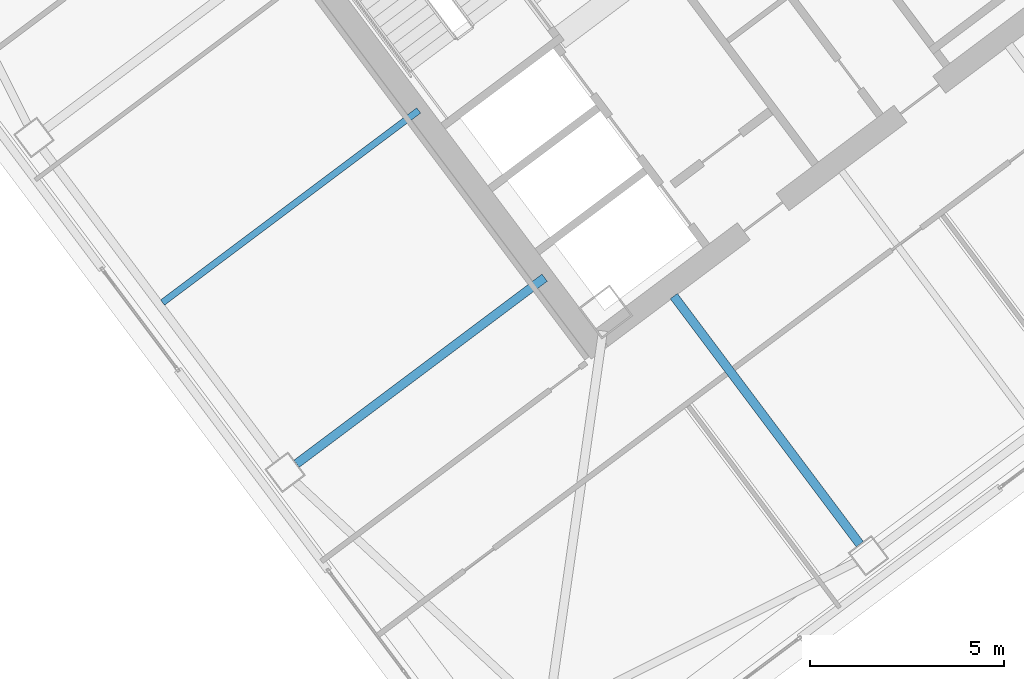
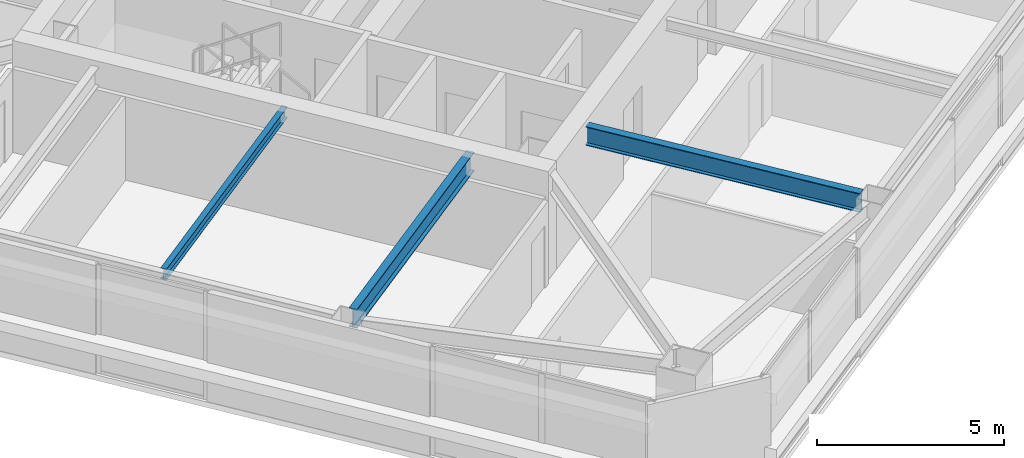
# One storey, part 20 of 43: 3 beams.
"""IFC4 building model written with IfcOpenShell, lengths in metres."""

from ifc_helpers import new_model, si_unit, direction, frame, origin, origin_2d, place, context, subcontext, project, spatial, i_section, extrude, material, material_profile, profile_set, type_object, element, save


model = new_model("IFC4")

# Units and contexts
model_context = context("Model", 3, precision=1e-05, world=origin(), true_north=direction((0.0, 1.0)))
body_context = subcontext(model_context, "Body", "Model", "MODEL_VIEW")
ifc_project = project(units=[si_unit("LENGTHUNIT", "METRE"), si_unit("AREAUNIT", "SQUARE_METRE"), si_unit("VOLUMEUNIT", "CUBIC_METRE"), si_unit("PLANEANGLEUNIT", "RADIAN"), si_unit("MASSUNIT", "GRAM", prefix="KILO")], contexts=[model_context])

# Site, building, storey
site_placement = place(None, origin())
site = spatial("IfcSite", under=ifc_project, at=site_placement, CompositionType="ELEMENT")
building_placement = place(site_placement, origin())
building = spatial("IfcBuilding", under=site, at=building_placement, Name="Tashvorn Skyway Center", CompositionType="ELEMENT")
storey_placement = place(building_placement, frame((0.0, 0.0, 185.39990234375)))
storey = spatial("IfcBuildingStorey", under=building, at=storey_placement, Name="L50", CompositionType="ELEMENT", Elevation=185.39990234375)

# Beams
ifc_material = material(Name="Steel ASTM A992 Grade 50", Category="steel")
ifc_material_profile_1 = material_profile(ifc_material, i_section(OverallWidth=0.22998046875, OverallDepth=0.616943359375, WebThickness=0.01318359375, FlangeThickness=0.022216796875, at=origin_2d()), Name="W24X94")
ifc_profile_set_1 = profile_set([ifc_material_profile_1], Name="Steel ASTM A992 Grade 50")
beam_type_1 = type_object("IfcBeamType", Name="BM-BEAM-W24X94", PredefinedType="BEAM", material=ifc_profile_set_1)
beam_1_placement = place(storey_placement, frame((119.14794921875, 16.135986328125, 3.0615234375), z_axis=(-0.60000976564, 0.799992675677, 0.0), x_axis=(-0.799992675677, -0.60000976564, 0.0)))
element("IfcBeam", 1, at=beam_1_placement, inside=storey, type_object=beam_type_1, Name="Tower 2 L50 Primary Floor Girder FC-S1", PredefinedType="BEAM", context=body_context, shape_type="SweptSolid", body=[
    extrude(i_section(OverallWidth=0.22998046875, OverallDepth=0.616943359375, WebThickness=0.01318359375, FlangeThickness=0.022216796875, at=origin_2d()), origin(), (0.0, 0.0, 1.0), 8.0),
])
beam_2_placement = place(storey_placement, frame((104.615966796875, 18.2119140625, 3.0615234375), z_axis=(0.800003662027, 0.599995117266, 0.0), x_axis=(-0.599995117266, 0.800003662027, 0.0)))
element("IfcBeam", 2, at=beam_2_placement, inside=storey, type_object=beam_type_1, Name="Tower 2 L50 Primary Floor Girder FC-W2", PredefinedType="BEAM", context=body_context, shape_type="SweptSolid", body=[
    extrude(i_section(OverallWidth=0.22998046875, OverallDepth=0.616943359375, WebThickness=0.01318359375, FlangeThickness=0.022216796875, at=origin_2d()), origin(), (0.0, 0.0, 1.0), 8.000244140625),
])
ifc_material_profile_2 = material_profile(ifc_material, i_section(OverallWidth=0.1708984375, OverallDepth=0.35498046875, WebThickness=0.007080078125, FlangeThickness=0.01171875, at=origin_2d()), Name="W14X34")
ifc_profile_set_2 = profile_set([ifc_material_profile_2], Name="Steel ASTM A992 Grade 50")
beam_type_2 = type_object("IfcBeamType", Name="BM-JOIST-W14X34", PredefinedType="JOIST", material=ifc_profile_set_2)
beam_3_placement = place(storey_placement, frame((107.76806640625, 27.325927734375, 3.192626953125), z_axis=(-0.800003545708, -0.59999527236, 0.0), x_axis=(0.59999527236, -0.800003545708, 0.0)))
element("IfcBeam", 3, at=beam_3_placement, inside=storey, type_object=beam_type_2, Name="Tower 2 L50 Secondary Composite Joist JW", PredefinedType="JOIST", context=body_context, shape_type="SweptSolid", body=[
    extrude(i_section(OverallWidth=0.1708984375, OverallDepth=0.35498046875, WebThickness=0.007080078125, FlangeThickness=0.01171875, at=origin_2d()), origin(), (0.0, 0.0, 1.0), 8.2626953125),
])

save(model, "model.ifc")
